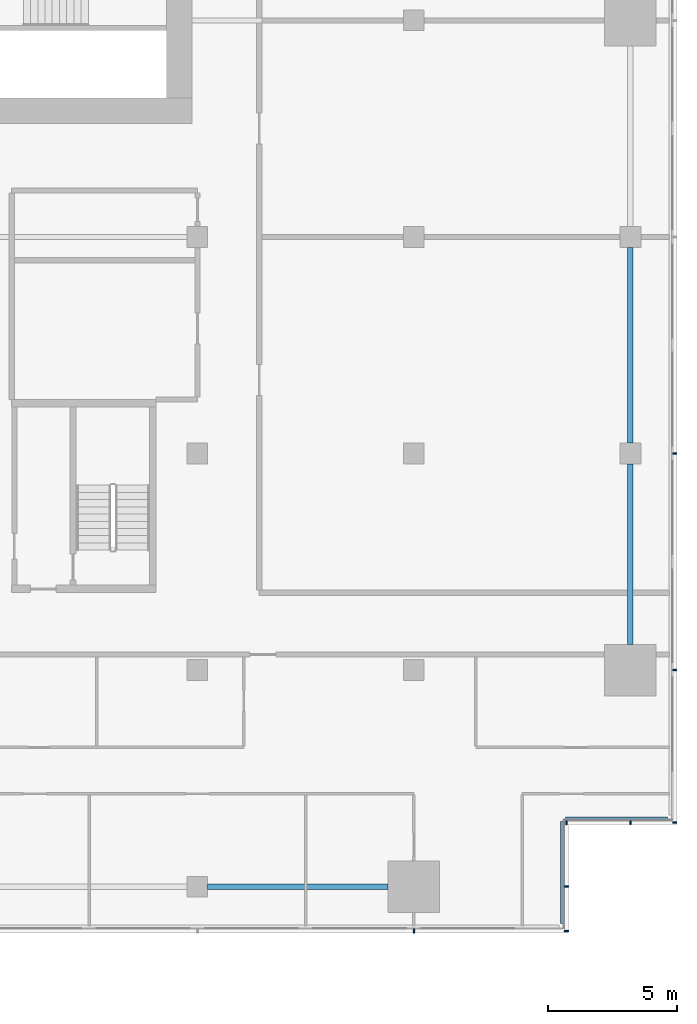
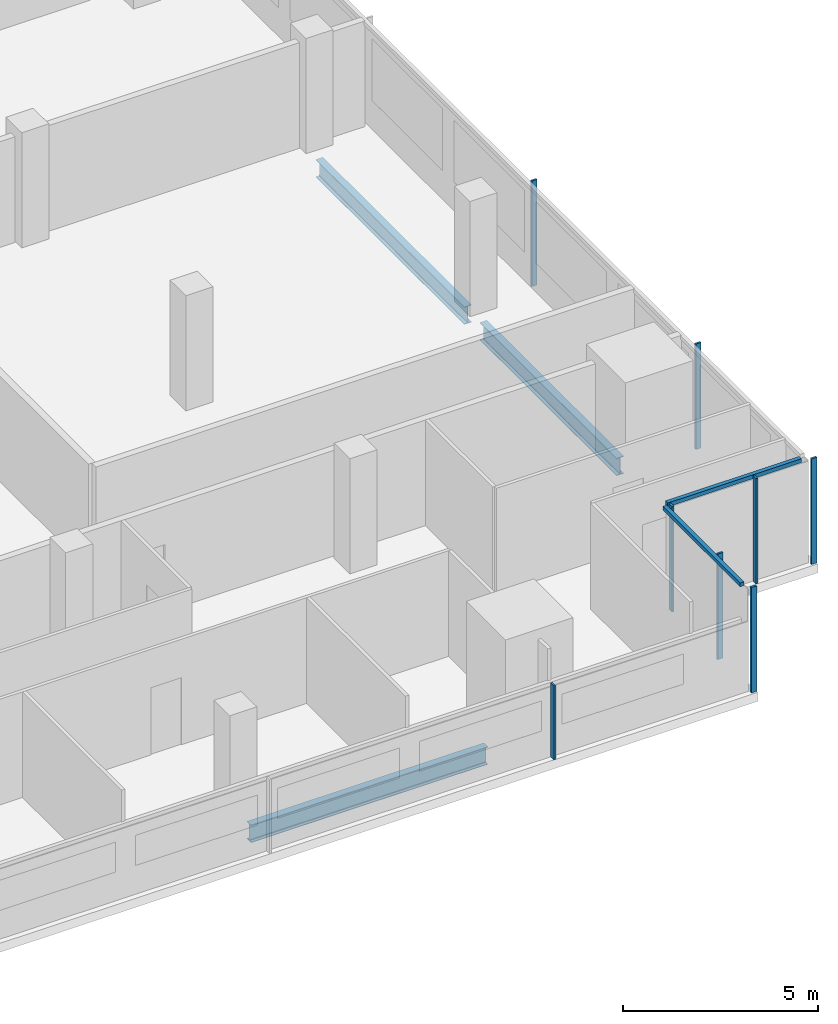
# One storey, part 12 of 26: 10 members, 3 beams, 4 elements without a shape of their own.
"""IFC4 building model written with IfcOpenShell, lengths in metres."""

from ifc_helpers import new_model, si_unit, direction, frame, origin, origin_2d, place, context, subcontext, project, spatial, rectangle, i_section, extrude, material, material_profile, profile_set, type_object, element, aggregate, save


model = new_model("IFC4")

# Units and contexts
model_context = context("Model", 3, precision=1e-05, world=origin(), true_north=direction((0.0, 1.0)))
body_context = subcontext(model_context, "Body", "Model", "MODEL_VIEW")
ifc_project = project(units=[si_unit("LENGTHUNIT", "METRE"), si_unit("AREAUNIT", "SQUARE_METRE"), si_unit("VOLUMEUNIT", "CUBIC_METRE"), si_unit("PLANEANGLEUNIT", "RADIAN"), si_unit("MASSUNIT", "GRAM", prefix="KILO")], contexts=[model_context])

# Site, building, storey
site_placement = place(None, origin())
site = spatial("IfcSite", under=ifc_project, at=site_placement, CompositionType="ELEMENT")
building_placement = place(site_placement, origin())
building = spatial("IfcBuilding", under=site, at=building_placement, Name="Saffron Gate Tower", CompositionType="ELEMENT")
storey_placement = place(building_placement, frame((0.0, 0.0, 138.449951171875)))
storey = spatial("IfcBuildingStorey", under=building, at=storey_placement, Name="L33", CompositionType="ELEMENT", Elevation=138.449951171875)

# Beams
ifc_material_1 = material(Name="Structural steel S355", Category="steel")
ifc_material_profile_1 = material_profile(ifc_material_1, i_section(OverallWidth=0.2099609375, OverallDepth=0.550048828125, WebThickness=0.010986328125, FlangeThickness=0.01708984375, FilletRadius=0.02392578125, at=origin_2d()))
ifc_profile_set_1 = profile_set([ifc_material_profile_1], Name="Structural steel S355")
beam_type = type_object("IfcBeamType", Name="B13 IPE 550", PredefinedType="SPANDREL", material=ifc_profile_set_1)
for number, where, z_axis, x_axis, name in (
    (1, (109.0, 31.800048828125, -0.554931640625), (1.0, 0.0, 0.0), (0.0, 1.0, 0.0), "B13 SPANDREL BEAM"),
    (2, (125.39990234375, 41.199951171875, -0.554931640625), (0.0, 1.0, 0.0), (-1.0, 0.0, 0.0), "B13 SPANDREL BEAM"),
):
    element("IfcBeam", number, at=place(storey_placement, frame(where, z_axis=z_axis, x_axis=x_axis)), inside=storey, type_object=beam_type, Name=name, PredefinedType="SPANDREL", context=body_context, shape_type="SweptSolid", body=[
        extrude(i_section(OverallWidth=0.2099609375, OverallDepth=0.550048828125, WebThickness=0.010986328125, FlangeThickness=0.01708984375, FilletRadius=0.02392578125, at=origin_2d()), origin(), (0.0, 0.0, 1.0), 7.0),
    ])
beam_placement = place(storey_placement, frame((125.39990234375, 49.0, -0.554931640625), z_axis=(0.0, 1.0, 0.0), x_axis=(-1.0, 0.0, 0.0)))
element("IfcBeam", 3, at=beam_placement, inside=storey, type_object=beam_type, Name="B13 SPANDREL BEAM", PredefinedType="SPANDREL", context=body_context, shape_type="SweptSolid", body=[
    extrude(i_section(OverallWidth=0.2099609375, OverallDepth=0.550048828125, WebThickness=0.010986328125, FlangeThickness=0.01708984375, FilletRadius=0.02392578125, at=origin_2d()), origin(), (0.0, 0.0, 1.0), 7.60009765625),
])

# Curtain wall, member
ifc_material_2 = material(Name="Aluminium, bronze anodised", Category="aluminium")
curtain_wall_type_1 = type_object("IfcCurtainWallType", Name="CWS1 curtain wall front facade", PredefinedType="NOTDEFINED", material=ifc_material_2)
curtain_wall_1_placement = place(storey_placement, origin())
curtain_wall_1 = element("IfcCurtainWall", 4, at=curtain_wall_1_placement, inside=storey, type_object=curtain_wall_type_1, Name="CWS1 run 1", PredefinedType="NOTDEFINED")
ifc_material_profile_2 = material_profile(ifc_material_2, rectangle(XDim=0.159912109375, YDim=0.06005859375, at=origin_2d()))
ifc_profile_set_2 = profile_set([ifc_material_profile_2], Name="Aluminium, bronze anodised")
member_type_1 = type_object("IfcMemberType", Name="CWS1 mullion 60x160", PredefinedType="MULLION", material=ifc_profile_set_2)
member_1_placement = place(storey_placement, frame((117.0, 30.080078125, 0.0), z_axis=(0.0, 0.0, 1.0), x_axis=(0.0, 1.0, 0.0)))
member_1 = element("IfcMember", 5, at=member_1_placement, type_object=member_type_1, Name="CWS1 mullion 9", PredefinedType="MULLION", context=body_context, shape_type="SweptSolid", body=[
    extrude(rectangle(XDim=0.159912109375, YDim=0.06005859375, at=origin_2d()), origin(), (0.0, 0.0, 1.0), 2.31005859375),
])
aggregate(curtain_wall_1, [member_1])

# Curtain wall, members
curtain_wall_type_2 = type_object("IfcCurtainWallType", Name="CWS2 curtain wall side facades", PredefinedType="NOTDEFINED", material=ifc_material_2)
curtain_wall_2_placement = place(storey_placement, origin())
curtain_wall_2 = element("IfcCurtainWall", 6, at=curtain_wall_2_placement, inside=storey, type_object=curtain_wall_type_2, Name="CWS2 run 4", PredefinedType="NOTDEFINED")
ifc_material_profile_3 = material_profile(ifc_material_2, rectangle(XDim=0.159912109375, YDim=0.06005859375, at=origin_2d()))
ifc_profile_set_3 = profile_set([ifc_material_profile_3], Name="Aluminium, bronze anodised")
member_type_2 = type_object("IfcMemberType", Name="CWS2 mullion 60x160", PredefinedType="MULLION", material=ifc_profile_set_3)
member_2_placement = place(storey_placement, frame((127.1201171875, 34.280029296875, 0.0), z_axis=(0.0, 0.0, 1.0), x_axis=(-1.0, 0.0, 0.0)))
member_2 = element("IfcMember", 7, at=member_2_placement, type_object=member_type_2, Name="CWS2 mullion 1", PredefinedType="MULLION", context=body_context, shape_type="SweptSolid", body=[
    extrude(rectangle(XDim=0.159912109375, YDim=0.06005859375, at=origin_2d()), origin(), (0.0, 0.0, 1.0), 3.300048828125),
])
member_3_placement = place(storey_placement, frame((127.1201171875, 40.199951171875, 0.0), z_axis=(0.0, 0.0, 1.0), x_axis=(-1.0, 0.0, 0.0)))
member_3 = element("IfcMember", 8, at=member_3_placement, type_object=member_type_2, Name="CWS2 mullion 2", PredefinedType="MULLION", context=body_context, shape_type="SweptSolid", body=[
    extrude(rectangle(XDim=0.159912109375, YDim=0.06005859375, at=origin_2d()), origin(), (0.0, 0.0, 1.0), 3.300048828125),
])
member_4_placement = place(storey_placement, frame((127.1201171875, 48.60009765625, 0.0), z_axis=(0.0, 0.0, 1.0), x_axis=(-1.0, 0.0, 0.0)))
member_4 = element("IfcMember", 9, at=member_4_placement, type_object=member_type_2, Name="CWS2 mullion 3", PredefinedType="MULLION", context=body_context, shape_type="SweptSolid", body=[
    extrude(rectangle(XDim=0.159912109375, YDim=0.06005859375, at=origin_2d()), origin(), (0.0, 0.0, 1.0), 3.300048828125),
])
aggregate(curtain_wall_2, [member_2, member_3, member_4])

# Curtain wall, member
curtain_wall_type_3 = type_object("IfcCurtainWallType", Name="CWS4 curtain wall corner returns", PredefinedType="NOTDEFINED", material=ifc_material_2)
curtain_wall_3_placement = place(storey_placement, origin())
curtain_wall_3 = element("IfcCurtainWall", 10, at=curtain_wall_3_placement, inside=storey, type_object=curtain_wall_type_3, Name="CWS4 run 2", PredefinedType="NOTDEFINED")
ifc_material_profile_4 = material_profile(ifc_material_2, rectangle(XDim=0.1201171875, YDim=0.1201171875, at=origin_2d()))
ifc_profile_set_4 = profile_set([ifc_material_profile_4], Name="Aluminium, bronze anodised")
member_type_3 = type_object("IfcMemberType", Name="CWS4 head transom", PredefinedType="USERDEFINED", material=ifc_profile_set_4)
member_5_placement = place(storey_placement, frame((122.751953125, 30.367919921875, 3.239990234375), z_axis=(0.0, 1.0, 0.0), x_axis=(-1.0, 0.0, 0.0)))
member_5 = element("IfcMember", 11, at=member_5_placement, type_object=member_type_3, Name="CWS4 head transom", ObjectType="TRANSOM", PredefinedType="USERDEFINED", context=body_context, shape_type="SweptSolid", body=[
    extrude(rectangle(XDim=0.1201171875, YDim=0.1201171875, at=origin_2d()), origin(), (0.0, 0.0, 1.0), 3.9599609375),
])

curtain_wall_4_placement = place(storey_placement, origin())
curtain_wall_4 = element("IfcCurtainWall", 12, at=curtain_wall_4_placement, inside=storey, type_object=curtain_wall_type_3, Name="CWS4 run 3", PredefinedType="NOTDEFINED")
member_6_placement = place(storey_placement, frame((122.8720703125, 34.447998046875, 3.239990234375), z_axis=(1.0, 0.0, 0.0), x_axis=(0.0, 1.0, 0.0)))
member_6 = element("IfcMember", 13, at=member_6_placement, type_object=member_type_3, Name="CWS4 head transom", ObjectType="TRANSOM", PredefinedType="USERDEFINED", context=body_context, shape_type="SweptSolid", body=[
    extrude(rectangle(XDim=0.1201171875, YDim=0.1201171875, at=origin_2d()), origin(), (0.0, 0.0, 1.0), 3.9599609375),
])

# Member
ifc_material_profile_5 = material_profile(ifc_material_2, rectangle(XDim=0.159912109375, YDim=0.06005859375, at=origin_2d()))
ifc_profile_set_5 = profile_set([ifc_material_profile_5], Name="Aluminium, bronze anodised")
member_type_4 = type_object("IfcMemberType", Name="CWS4 mullion 60x160", PredefinedType="MULLION", material=ifc_profile_set_5)
member_7_placement = place(storey_placement, frame((122.919921875, 30.080078125, 0.0), z_axis=(0.0, 0.0, 1.0), x_axis=(-1.0, 0.0, 0.0)))
member_7 = element("IfcMember", 14, at=member_7_placement, type_object=member_type_4, Name="CWS4 mullion 1", PredefinedType="MULLION", context=body_context, shape_type="SweptSolid", body=[
    extrude(rectangle(XDim=0.159912109375, YDim=0.06005859375, at=origin_2d()), origin(), (0.0, 0.0, 1.0), 3.300048828125),
])

member_8_placement = place(storey_placement, frame((122.919921875, 31.800048828125, 0.0), z_axis=(0.0, 0.0, 1.0), x_axis=(-1.0, 0.0, 0.0)))
member_8 = element("IfcMember", 15, at=member_8_placement, type_object=member_type_4, Name="CWS4 mullion 2", PredefinedType="MULLION", context=body_context, shape_type="SweptSolid", body=[
    extrude(rectangle(XDim=0.159912109375, YDim=0.06005859375, at=origin_2d()), origin(), (0.0, 0.0, 1.0), 3.300048828125),
])

aggregate(curtain_wall_3, [member_7, member_8, member_5])

member_9_placement = place(storey_placement, frame((122.919921875, 34.280029296875, 0.0), z_axis=(0.0, 0.0, 1.0), x_axis=(0.0, 1.0, 0.0)))
member_9 = element("IfcMember", 16, at=member_9_placement, type_object=member_type_4, Name="CWS4 mullion 1", PredefinedType="MULLION", context=body_context, shape_type="SweptSolid", body=[
    extrude(rectangle(XDim=0.159912109375, YDim=0.06005859375, at=origin_2d()), origin(), (0.0, 0.0, 1.0), 3.300048828125),
])

member_10_placement = place(storey_placement, frame((125.39990234375, 34.280029296875, 0.0), z_axis=(0.0, 0.0, 1.0), x_axis=(0.0, 1.0, 0.0)))
member_10 = element("IfcMember", 17, at=member_10_placement, type_object=member_type_4, Name="CWS4 mullion 2", PredefinedType="MULLION", context=body_context, shape_type="SweptSolid", body=[
    extrude(rectangle(XDim=0.159912109375, YDim=0.06005859375, at=origin_2d()), origin(), (0.0, 0.0, 1.0), 3.300048828125),
])

aggregate(curtain_wall_4, [member_9, member_10, member_6])

save(model, "model.ifc")
